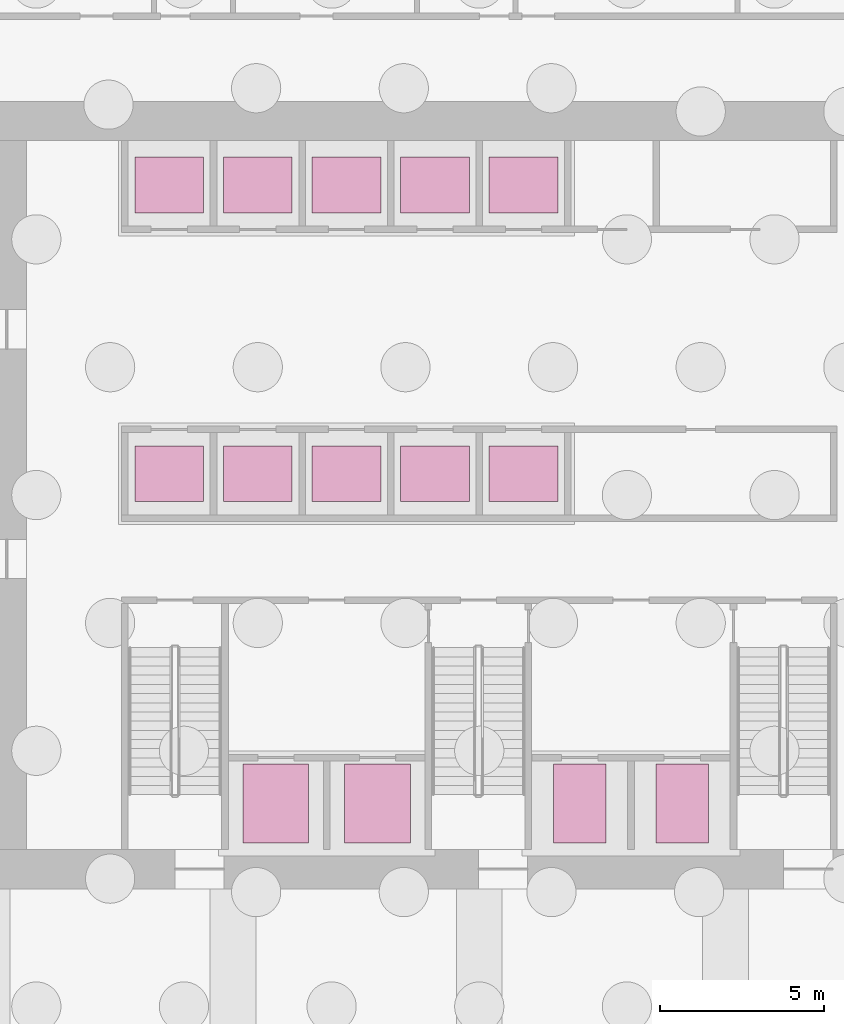
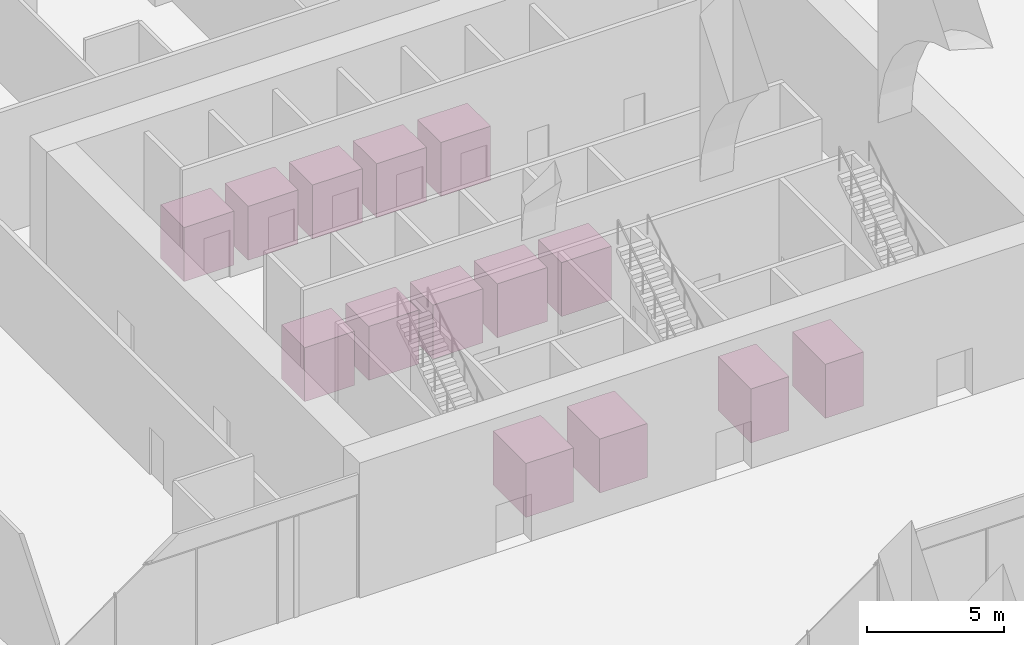
# One storey, part 46 of 46: 14 transport elements.
"""IFC4 building model written with IfcOpenShell, lengths in metres."""

from ifc_helpers import new_model, si_unit, direction, frame, origin, origin_2d, place, context, subcontext, project, spatial, rectangle, extrude, material, type_object, element, save


model = new_model("IFC4")

# Units and contexts
model_context = context("Model", 3, precision=1e-05, world=origin(), true_north=direction((0.0, 1.0)))
body_context = subcontext(model_context, "Body", "Model", "MODEL_VIEW")
ifc_project = project(units=[si_unit("LENGTHUNIT", "METRE"), si_unit("AREAUNIT", "SQUARE_METRE"), si_unit("VOLUMEUNIT", "CUBIC_METRE"), si_unit("PLANEANGLEUNIT", "RADIAN"), si_unit("MASSUNIT", "GRAM", prefix="KILO")], contexts=[model_context])

# Site, building, storey
site_placement = place(None, origin())
site = spatial("IfcSite", under=ifc_project, at=site_placement, CompositionType="ELEMENT")
building_placement = place(site_placement, origin())
building = spatial("IfcBuilding", under=site, at=building_placement, Name="Mangrove Gate Tower", CompositionType="ELEMENT")
storey_placement = place(building_placement, origin())
storey = spatial("IfcBuildingStorey", under=building, at=storey_placement, Name="L00", CompositionType="ELEMENT", Elevation=0.0)

# Transport elements
ifc_material_1 = material(Name="Stainless steel 316", Category="steel")
transport_element_type_1 = type_object("IfcTransportElementType", Name="Fire-fighting lift car 1600x2400", PredefinedType="ELEVATOR", material=ifc_material_1)
for number, where, z_axis, x_axis, name in (
    (1, (3.0625, -9.39990234375, 0.0), (0.0, 0.0, 1.0), (1.0, 0.0, 0.0), "Fire-fighting lift FFL1"),
    (2, (6.1875, -9.39990234375, 0.0), (0.0, 0.0, 1.0), (1.0, 0.0, 0.0), "Fire-fighting lift FFL2"),
):
    element("IfcTransportElement", number, at=place(storey_placement, frame(where, z_axis=z_axis, x_axis=x_axis)), inside=storey, type_object=transport_element_type_1, Name=name, PredefinedType="ELEVATOR", context=body_context, shape_type="SweptSolid", body=[
        extrude(rectangle(XDim=1.60009765625, YDim=2.39990234375, at=origin_2d()), origin(), (0.0, 0.0, 1.0), 2.39990234375),
    ])
ifc_material_2 = material(Name="Stainless steel 316", Category="steel")
transport_element_type_2 = type_object("IfcTransportElementType", Name="Passenger lift car 2100x1700", PredefinedType="ELEVATOR", material=ifc_material_2)
for number, where, z_axis, x_axis, name in (
    (3, (-9.449951171875, 0.64990234375, 0.0), (0.0, 0.0, 1.0), (1.0, 0.0, 0.0), "Passenger lift P01"),
    (4, (-6.75, 0.64990234375, 0.0), (0.0, 0.0, 1.0), (1.0, 0.0, 0.0), "Passenger lift P02"),
    (5, (-4.050048828125, 0.64990234375, 0.0), (0.0, 0.0, 1.0), (1.0, 0.0, 0.0), "Passenger lift P03"),
    (6, (-1.35009765625, 0.64990234375, 0.0), (0.0, 0.0, 1.0), (1.0, 0.0, 0.0), "Passenger lift P04"),
    (7, (1.35009765625, 0.64990234375, 0.0), (0.0, 0.0, 1.0), (1.0, 0.0, 0.0), "Passenger lift P05"),
    (8, (-9.449951171875, 9.449951171875, 0.0), (0.0, 0.0, 1.0), (1.0, 0.0, 0.0), "Passenger lift P06"),
    (9, (-6.75, 9.449951171875, 0.0), (0.0, 0.0, 1.0), (1.0, 0.0, 0.0), "Passenger lift P07"),
    (10, (-4.050048828125, 9.449951171875, 0.0), (0.0, 0.0, 1.0), (1.0, 0.0, 0.0), "Passenger lift P08"),
    (11, (-1.35009765625, 9.449951171875, 0.0), (0.0, 0.0, 1.0), (1.0, 0.0, 0.0), "Passenger lift P09"),
    (12, (1.35009765625, 9.449951171875, 0.0), (0.0, 0.0, 1.0), (1.0, 0.0, 0.0), "Passenger lift P10"),
):
    element("IfcTransportElement", number, at=place(storey_placement, frame(where, z_axis=z_axis, x_axis=x_axis)), inside=storey, type_object=transport_element_type_2, Name=name, PredefinedType="ELEVATOR", context=body_context, shape_type="SweptSolid", body=[
        extrude(rectangle(XDim=2.10009765625, YDim=1.699951171875, at=origin_2d()), origin(), (0.0, 0.0, 1.0), 2.39990234375),
    ])
ifc_material_3 = material(Name="Stainless steel 316", Category="steel")
transport_element_type_3 = type_object("IfcTransportElementType", Name="Service lift car 2000x2400", PredefinedType="ELEVATOR", material=ifc_material_3)
for number, where, z_axis, x_axis, name in (
    (13, (-6.199951171875, -9.39990234375, 0.0), (0.0, 0.0, 1.0), (1.0, 0.0, 0.0), "Service lift SVL1"),
    (14, (-3.10009765625, -9.39990234375, 0.0), (0.0, 0.0, 1.0), (1.0, 0.0, 0.0), "Service lift SVL2"),
):
    element("IfcTransportElement", number, at=place(storey_placement, frame(where, z_axis=z_axis, x_axis=x_axis)), inside=storey, type_object=transport_element_type_3, Name=name, PredefinedType="ELEVATOR", context=body_context, shape_type="SweptSolid", body=[
        extrude(rectangle(XDim=2.0, YDim=2.39990234375, at=origin_2d()), origin(), (0.0, 0.0, 1.0), 2.39990234375),
    ])

save(model, "model.ifc")
